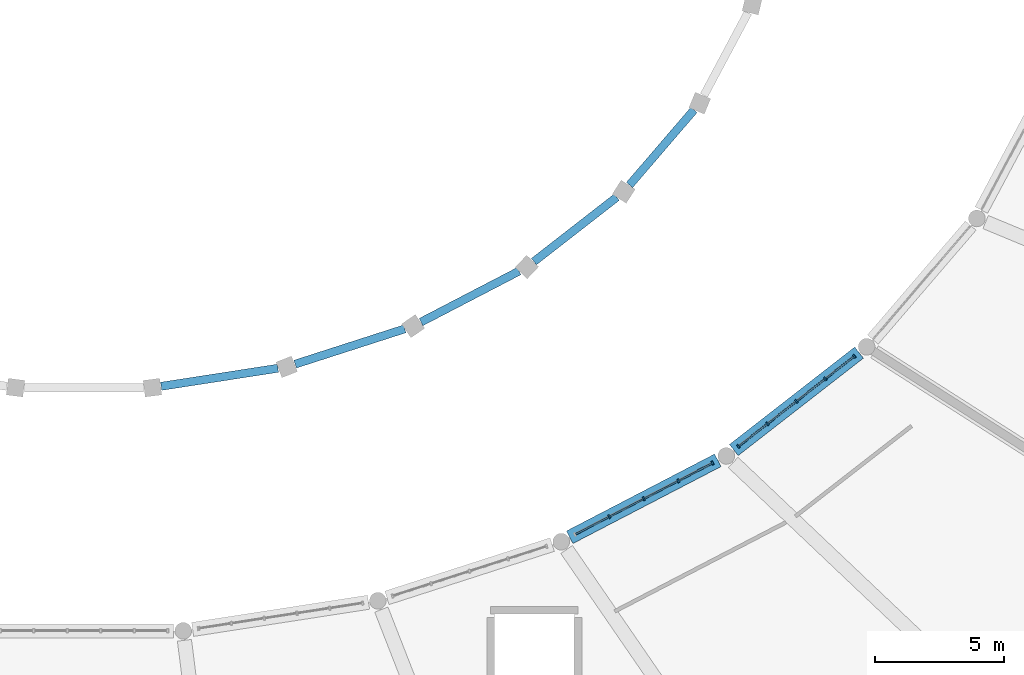
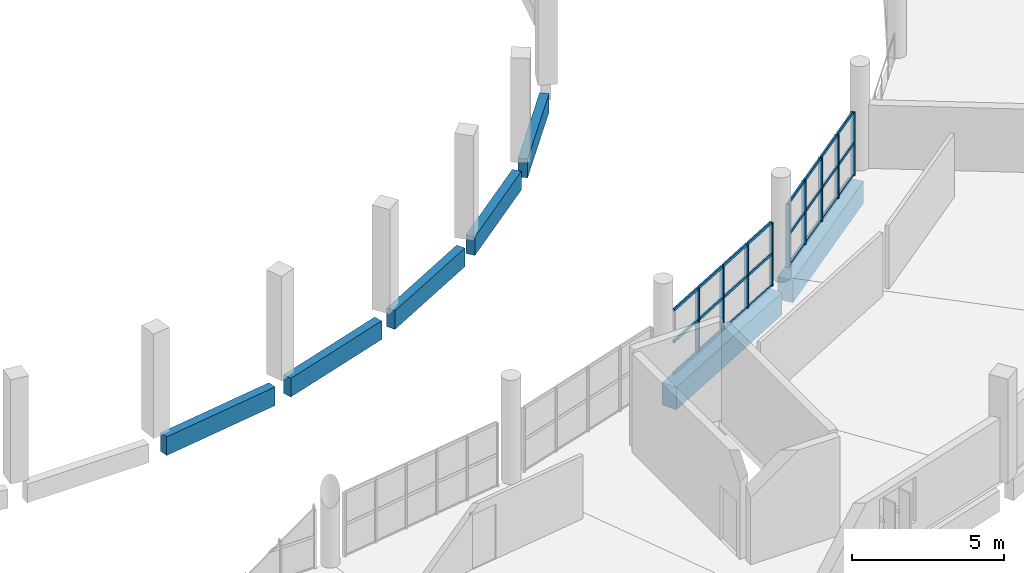
# One storey, part 17 of 142: 33 members, 7 beams, 2 elements without a shape of their own.
"""IFC4 building model written with IfcOpenShell, lengths in metres."""

from ifc_helpers import new_model, si_unit, direction, frame, origin, origin_2d, place, context, subcontext, project, spatial, rectangle, extrude, material, layer, layer_set, material_profile, profile_set, type_object, element, aggregate, save


model = new_model("IFC4")

# Units and contexts
model_context = context("Model", 3, precision=1e-05, world=origin(), true_north=direction((0.0, 1.0)))
body_context = subcontext(model_context, "Body", "Model", "MODEL_VIEW")
ifc_project = project(units=[si_unit("LENGTHUNIT", "METRE"), si_unit("AREAUNIT", "SQUARE_METRE"), si_unit("VOLUMEUNIT", "CUBIC_METRE"), si_unit("PLANEANGLEUNIT", "RADIAN"), si_unit("MASSUNIT", "GRAM", prefix="KILO")], contexts=[model_context])

# Site, building, storey
site_placement = place(None, origin())
site = spatial("IfcSite", under=ifc_project, at=site_placement, CompositionType="ELEMENT")
building_placement = place(site_placement, origin())
building = spatial("IfcBuilding", under=site, at=building_placement, Name="Corvandel Quay Wholesale Market", CompositionType="ELEMENT")
storey_placement = place(building_placement, frame((0.0, 0.0, 10.800048828125)))
storey = spatial("IfcBuildingStorey", under=building, at=storey_placement, Name="L02", CompositionType="ELEMENT", Elevation=10.800048828125)

# Curtain wall, members
ifc_material_1 = material(Name="Bronze anodised aluminium and low-E insulated glazing", Category="aluminium")
ifc_layer_1 = layer(ifc_material_1, 0.14990234375)
ifc_layer_set_1 = layer_set([ifc_layer_1], Name="Bronze anodised aluminium and low-E insulated glazing")
curtain_wall_type_1 = type_object("IfcCurtainWallType", Name="Stick Curtain Wall System CW20 H4800", PredefinedType="NOTDEFINED", material=ifc_layer_set_1)
curtain_wall_1_placement = place(storey_placement, origin())
curtain_wall_1 = element("IfcCurtainWall", 1, at=curtain_wall_1_placement, inside=storey, type_object=curtain_wall_type_1, Name="Curtain Wall CW-0080", PredefinedType="NOTDEFINED")
ifc_material_2 = material(Name="Anodised aluminium 6063-T6", Category="aluminium")
ifc_material_profile_1 = material_profile(ifc_material_2, rectangle(XDim=0.06494140625, YDim=0.14990234375, at=origin_2d()), Name="ALU-MUL-65x150")
ifc_profile_set_1 = profile_set([ifc_material_profile_1], Name="Anodised aluminium 6063-T6")
member_type_1 = type_object("IfcMemberType", Name="Curtain Wall Mullion ML02 65x150", PredefinedType="MULLION", material=ifc_profile_set_1)
member_1_placement = place(storey_placement, frame((134.41357421875, 15.9873046875, 0.0), z_axis=(0.0, 0.0, 1.0), x_axis=(0.887332978338, 0.461129250378, 0.0)))
member_1 = element("IfcMember", 2, at=member_1_placement, type_object=member_type_1, Name="Mullion CW-0080-M01", PredefinedType="MULLION", context=body_context, shape_type="SweptSolid", body=[
    extrude(rectangle(XDim=0.06494140625, YDim=0.14990234375, at=origin_2d()), origin(), (0.0, 0.0, 1.0), 2.550048828125),
])
member_2_placement = place(storey_placement, frame((135.75048828125, 16.681884765625, 0.0), z_axis=(0.0, 0.0, 1.0), x_axis=(0.887332978338, 0.461129250378, 0.0)))
member_2 = element("IfcMember", 3, at=member_2_placement, type_object=member_type_1, Name="Mullion CW-0080-M02", PredefinedType="MULLION", context=body_context, shape_type="SweptSolid", body=[
    extrude(rectangle(XDim=0.06494140625, YDim=0.14990234375, at=origin_2d()), origin(), (0.0, 0.0, 1.0), 2.550048828125),
])
member_3_placement = place(storey_placement, frame((137.08740234375, 17.376708984375, 0.0), z_axis=(0.0, 0.0, 1.0), x_axis=(0.887332978338, 0.461129250378, 0.0)))
member_3 = element("IfcMember", 4, at=member_3_placement, type_object=member_type_1, Name="Mullion CW-0080-M03", PredefinedType="MULLION", context=body_context, shape_type="SweptSolid", body=[
    extrude(rectangle(XDim=0.06494140625, YDim=0.14990234375, at=origin_2d()), origin(), (0.0, 0.0, 1.0), 2.550048828125),
])
member_4_placement = place(storey_placement, frame((138.424560546875, 18.0712890625, 0.0), z_axis=(0.0, 0.0, 1.0), x_axis=(0.887332978338, 0.461129250378, 0.0)))
member_4 = element("IfcMember", 5, at=member_4_placement, type_object=member_type_1, Name="Mullion CW-0080-M04", PredefinedType="MULLION", context=body_context, shape_type="SweptSolid", body=[
    extrude(rectangle(XDim=0.06494140625, YDim=0.14990234375, at=origin_2d()), origin(), (0.0, 0.0, 1.0), 2.550048828125),
])

ifc_layer_2 = layer(ifc_material_1, 0.162109375)
ifc_layer_set_2 = layer_set([ifc_layer_2], Name="Bronze anodised aluminium and low-E insulated glazing")
curtain_wall_type_2 = type_object("IfcCurtainWallType", Name="Stick Curtain Wall System CW21 H4890", PredefinedType="NOTDEFINED", material=ifc_layer_set_2)
curtain_wall_2_placement = place(storey_placement, origin())
curtain_wall_2 = element("IfcCurtainWall", 6, at=curtain_wall_2_placement, inside=storey, type_object=curtain_wall_type_2, Name="Curtain Wall CW-0083", PredefinedType="NOTDEFINED")
member_5_placement = place(storey_placement, frame((139.4306640625, 18.71630859375, 0.0), z_axis=(0.0, 0.0, 1.0), x_axis=(0.789405615633, 0.613871952452, 0.0)))
member_5 = element("IfcMember", 7, at=member_5_placement, type_object=member_type_1, Name="Mullion CW-0083-M00", PredefinedType="MULLION", context=body_context, shape_type="SweptSolid", body=[
    extrude(rectangle(XDim=0.06494140625, YDim=0.14990234375, at=origin_2d()), origin(), (0.0, 0.0, 1.0), 2.550048828125),
])
member_6_placement = place(storey_placement, frame((140.55712890625, 19.59228515625, 0.0), z_axis=(0.0, 0.0, 1.0), x_axis=(0.789405615633, 0.613871952452, 0.0)))
member_6 = element("IfcMember", 8, at=member_6_placement, type_object=member_type_1, Name="Mullion CW-0083-M01", PredefinedType="MULLION", context=body_context, shape_type="SweptSolid", body=[
    extrude(rectangle(XDim=0.06494140625, YDim=0.14990234375, at=origin_2d()), origin(), (0.0, 0.0, 1.0), 2.550048828125),
])
member_7_placement = place(storey_placement, frame((141.68359375, 20.468505859375, 0.0), z_axis=(0.0, 0.0, 1.0), x_axis=(0.789405615633, 0.613871952452, 0.0)))
member_7 = element("IfcMember", 9, at=member_7_placement, type_object=member_type_1, Name="Mullion CW-0083-M02", PredefinedType="MULLION", context=body_context, shape_type="SweptSolid", body=[
    extrude(rectangle(XDim=0.06494140625, YDim=0.14990234375, at=origin_2d()), origin(), (0.0, 0.0, 1.0), 2.550048828125),
])
member_8_placement = place(storey_placement, frame((142.809814453125, 21.344482421875, 0.0), z_axis=(0.0, 0.0, 1.0), x_axis=(0.789405615633, 0.613871952452, 0.0)))
member_8 = element("IfcMember", 10, at=member_8_placement, type_object=member_type_1, Name="Mullion CW-0083-M03", PredefinedType="MULLION", context=body_context, shape_type="SweptSolid", body=[
    extrude(rectangle(XDim=0.06494140625, YDim=0.14990234375, at=origin_2d()), origin(), (0.0, 0.0, 1.0), 2.550048828125),
])
member_9_placement = place(storey_placement, frame((143.936279296875, 22.220703125, 0.0), z_axis=(0.0, 0.0, 1.0), x_axis=(0.789405615633, 0.613871952452, 0.0)))
member_9 = element("IfcMember", 11, at=member_9_placement, type_object=member_type_1, Name="Mullion CW-0083-M04", PredefinedType="MULLION", context=body_context, shape_type="SweptSolid", body=[
    extrude(rectangle(XDim=0.06494140625, YDim=0.14990234375, at=origin_2d()), origin(), (0.0, 0.0, 1.0), 2.550048828125),
])

# Member
ifc_material_profile_2 = material_profile(ifc_material_2, rectangle(XDim=0.06005859375, YDim=0.110107421875, at=origin_2d()), Name="ALU-TRN-60x110")
ifc_profile_set_2 = profile_set([ifc_material_profile_2], Name="Anodised aluminium 6063-T6")
member_type_2 = type_object("IfcMemberType", Name="Curtain Wall Transom TR02 60x110", PredefinedType="USERDEFINED", material=ifc_profile_set_2)
member_10_placement = place(storey_placement, frame((133.105224609375, 15.3076171875, 0.0), z_axis=(0.887341534399, 0.46111278591, 0.0), x_axis=(-0.46111278591, 0.887341534399, 0.0)))
member_10 = element("IfcMember", 12, at=member_10_placement, type_object=member_type_2, Name="Transom CW-0080-T00-0", ObjectType="TRANSOM", PredefinedType="USERDEFINED", context=body_context, shape_type="SweptSolid", body=[
    extrude(rectangle(XDim=0.06005859375, YDim=0.110107421875, at=origin_2d()), origin(), (0.0, 0.0, 1.0), 1.441650390625),
])

member_11_placement = place(storey_placement, frame((133.105224609375, 15.3076171875, 1.27490234375), z_axis=(0.887341534399, 0.46111278591, 0.0), x_axis=(-0.46111278591, 0.887341534399, 0.0)))
member_11 = element("IfcMember", 13, at=member_11_placement, type_object=member_type_2, Name="Transom CW-0080-T00-1", ObjectType="TRANSOM", PredefinedType="USERDEFINED", context=body_context, shape_type="SweptSolid", body=[
    extrude(rectangle(XDim=0.06005859375, YDim=0.110107421875, at=origin_2d()), origin(), (0.0, 0.0, 1.0), 1.441650390625),
])

member_12_placement = place(storey_placement, frame((133.105224609375, 15.3076171875, 2.550048828125), z_axis=(0.887341534399, 0.46111278591, 0.0), x_axis=(-0.46111278591, 0.887341534399, 0.0)))
member_12 = element("IfcMember", 14, at=member_12_placement, type_object=member_type_2, Name="Transom CW-0080-T00-2", ObjectType="TRANSOM", PredefinedType="USERDEFINED", context=body_context, shape_type="SweptSolid", body=[
    extrude(rectangle(XDim=0.06005859375, YDim=0.110107421875, at=origin_2d()), origin(), (0.0, 0.0, 1.0), 1.441650390625),
])

member_13_placement = place(storey_placement, frame((134.4423828125, 16.002197265625, 0.0), z_axis=(0.887341534399, 0.46111278591, 0.0), x_axis=(-0.46111278591, 0.887341534399, 0.0)))
member_13 = element("IfcMember", 15, at=member_13_placement, type_object=member_type_2, Name="Transom CW-0080-T01-0", ObjectType="TRANSOM", PredefinedType="USERDEFINED", context=body_context, shape_type="SweptSolid", body=[
    extrude(rectangle(XDim=0.06005859375, YDim=0.110107421875, at=origin_2d()), origin(), (0.0, 0.0, 1.0), 1.441650390625),
])

member_14_placement = place(storey_placement, frame((134.4423828125, 16.002197265625, 1.27490234375), z_axis=(0.887341534399, 0.46111278591, 0.0), x_axis=(-0.46111278591, 0.887341534399, 0.0)))
member_14 = element("IfcMember", 16, at=member_14_placement, type_object=member_type_2, Name="Transom CW-0080-T01-1", ObjectType="TRANSOM", PredefinedType="USERDEFINED", context=body_context, shape_type="SweptSolid", body=[
    extrude(rectangle(XDim=0.06005859375, YDim=0.110107421875, at=origin_2d()), origin(), (0.0, 0.0, 1.0), 1.441650390625),
])

member_15_placement = place(storey_placement, frame((134.4423828125, 16.002197265625, 2.550048828125), z_axis=(0.887341534399, 0.46111278591, 0.0), x_axis=(-0.46111278591, 0.887341534399, 0.0)))
member_15 = element("IfcMember", 17, at=member_15_placement, type_object=member_type_2, Name="Transom CW-0080-T01-2", ObjectType="TRANSOM", PredefinedType="USERDEFINED", context=body_context, shape_type="SweptSolid", body=[
    extrude(rectangle(XDim=0.06005859375, YDim=0.110107421875, at=origin_2d()), origin(), (0.0, 0.0, 1.0), 1.441650390625),
])

member_16_placement = place(storey_placement, frame((135.779296875, 16.697021484375, 0.0), z_axis=(0.887341534399, 0.46111278591, 0.0), x_axis=(-0.46111278591, 0.887341534399, 0.0)))
member_16 = element("IfcMember", 18, at=member_16_placement, type_object=member_type_2, Name="Transom CW-0080-T02-0", ObjectType="TRANSOM", PredefinedType="USERDEFINED", context=body_context, shape_type="SweptSolid", body=[
    extrude(rectangle(XDim=0.06005859375, YDim=0.110107421875, at=origin_2d()), origin(), (0.0, 0.0, 1.0), 1.441650390625),
])

member_17_placement = place(storey_placement, frame((135.779296875, 16.697021484375, 1.27490234375), z_axis=(0.887341534399, 0.46111278591, 0.0), x_axis=(-0.46111278591, 0.887341534399, 0.0)))
member_17 = element("IfcMember", 19, at=member_17_placement, type_object=member_type_2, Name="Transom CW-0080-T02-1", ObjectType="TRANSOM", PredefinedType="USERDEFINED", context=body_context, shape_type="SweptSolid", body=[
    extrude(rectangle(XDim=0.06005859375, YDim=0.110107421875, at=origin_2d()), origin(), (0.0, 0.0, 1.0), 1.441650390625),
])

member_18_placement = place(storey_placement, frame((135.779296875, 16.697021484375, 2.550048828125), z_axis=(0.887341534399, 0.46111278591, 0.0), x_axis=(-0.46111278591, 0.887341534399, 0.0)))
member_18 = element("IfcMember", 20, at=member_18_placement, type_object=member_type_2, Name="Transom CW-0080-T02-2", ObjectType="TRANSOM", PredefinedType="USERDEFINED", context=body_context, shape_type="SweptSolid", body=[
    extrude(rectangle(XDim=0.06005859375, YDim=0.110107421875, at=origin_2d()), origin(), (0.0, 0.0, 1.0), 1.441650390625),
])

member_19_placement = place(storey_placement, frame((137.116455078125, 17.3916015625, 0.0), z_axis=(0.887341534399, 0.46111278591, 0.0), x_axis=(-0.46111278591, 0.887341534399, 0.0)))
member_19 = element("IfcMember", 21, at=member_19_placement, type_object=member_type_2, Name="Transom CW-0080-T03-0", ObjectType="TRANSOM", PredefinedType="USERDEFINED", context=body_context, shape_type="SweptSolid", body=[
    extrude(rectangle(XDim=0.06005859375, YDim=0.110107421875, at=origin_2d()), origin(), (0.0, 0.0, 1.0), 1.441650390625),
])

member_20_placement = place(storey_placement, frame((137.116455078125, 17.3916015625, 1.27490234375), z_axis=(0.887341534399, 0.46111278591, 0.0), x_axis=(-0.46111278591, 0.887341534399, 0.0)))
member_20 = element("IfcMember", 22, at=member_20_placement, type_object=member_type_2, Name="Transom CW-0080-T03-1", ObjectType="TRANSOM", PredefinedType="USERDEFINED", context=body_context, shape_type="SweptSolid", body=[
    extrude(rectangle(XDim=0.06005859375, YDim=0.110107421875, at=origin_2d()), origin(), (0.0, 0.0, 1.0), 1.441650390625),
])

member_21_placement = place(storey_placement, frame((137.116455078125, 17.3916015625, 2.550048828125), z_axis=(0.887341534399, 0.46111278591, 0.0), x_axis=(-0.46111278591, 0.887341534399, 0.0)))
member_21 = element("IfcMember", 23, at=member_21_placement, type_object=member_type_2, Name="Transom CW-0080-T03-2", ObjectType="TRANSOM", PredefinedType="USERDEFINED", context=body_context, shape_type="SweptSolid", body=[
    extrude(rectangle(XDim=0.06005859375, YDim=0.110107421875, at=origin_2d()), origin(), (0.0, 0.0, 1.0), 1.441650390625),
])

aggregate(curtain_wall_1, [member_1, member_2, member_3, member_4, member_10, member_11, member_12, member_13, member_14, member_15, member_16, member_17, member_18, member_19, member_20, member_21])

member_22_placement = place(storey_placement, frame((139.456298828125, 18.736328125, 0.0), z_axis=(0.789381170954, 0.613903385676, 0.0), x_axis=(-0.613903385676, 0.789381170954, 0.0)))
member_22 = element("IfcMember", 24, at=member_22_placement, type_object=member_type_2, Name="Transom CW-0083-T00-0", ObjectType="TRANSOM", PredefinedType="USERDEFINED", context=body_context, shape_type="SweptSolid", body=[
    extrude(rectangle(XDim=0.06005859375, YDim=0.110107421875, at=origin_2d()), origin(), (0.0, 0.0, 1.0), 1.362060546875),
])

member_23_placement = place(storey_placement, frame((139.456298828125, 18.736328125, 1.27490234375), z_axis=(0.789381170954, 0.613903385676, 0.0), x_axis=(-0.613903385676, 0.789381170954, 0.0)))
member_23 = element("IfcMember", 25, at=member_23_placement, type_object=member_type_2, Name="Transom CW-0083-T00-1", ObjectType="TRANSOM", PredefinedType="USERDEFINED", context=body_context, shape_type="SweptSolid", body=[
    extrude(rectangle(XDim=0.06005859375, YDim=0.110107421875, at=origin_2d()), origin(), (0.0, 0.0, 1.0), 1.362060546875),
])

member_24_placement = place(storey_placement, frame((139.456298828125, 18.736328125, 2.550048828125), z_axis=(0.789381170954, 0.613903385676, 0.0), x_axis=(-0.613903385676, 0.789381170954, 0.0)))
member_24 = element("IfcMember", 26, at=member_24_placement, type_object=member_type_2, Name="Transom CW-0083-T00-2", ObjectType="TRANSOM", PredefinedType="USERDEFINED", context=body_context, shape_type="SweptSolid", body=[
    extrude(rectangle(XDim=0.06005859375, YDim=0.110107421875, at=origin_2d()), origin(), (0.0, 0.0, 1.0), 1.362060546875),
])

member_25_placement = place(storey_placement, frame((140.582763671875, 19.6123046875, 0.0), z_axis=(0.789313604412, 0.613990255533, 0.0), x_axis=(-0.613990255533, 0.789313604412, 0.0)))
member_25 = element("IfcMember", 27, at=member_25_placement, type_object=member_type_2, Name="Transom CW-0083-T01-0", ObjectType="TRANSOM", PredefinedType="USERDEFINED", context=body_context, shape_type="SweptSolid", body=[
    extrude(rectangle(XDim=0.06005859375, YDim=0.110107421875, at=origin_2d()), origin(), (0.0, 0.0, 1.0), 1.36181640625),
])

member_26_placement = place(storey_placement, frame((140.582763671875, 19.6123046875, 1.27490234375), z_axis=(0.789313604412, 0.613990255533, 0.0), x_axis=(-0.613990255533, 0.789313604412, 0.0)))
member_26 = element("IfcMember", 28, at=member_26_placement, type_object=member_type_2, Name="Transom CW-0083-T01-1", ObjectType="TRANSOM", PredefinedType="USERDEFINED", context=body_context, shape_type="SweptSolid", body=[
    extrude(rectangle(XDim=0.06005859375, YDim=0.110107421875, at=origin_2d()), origin(), (0.0, 0.0, 1.0), 1.36181640625),
])

member_27_placement = place(storey_placement, frame((140.582763671875, 19.6123046875, 2.550048828125), z_axis=(0.789313604412, 0.613990255533, 0.0), x_axis=(-0.613990255533, 0.789313604412, 0.0)))
member_27 = element("IfcMember", 29, at=member_27_placement, type_object=member_type_2, Name="Transom CW-0083-T01-2", ObjectType="TRANSOM", PredefinedType="USERDEFINED", context=body_context, shape_type="SweptSolid", body=[
    extrude(rectangle(XDim=0.06005859375, YDim=0.110107421875, at=origin_2d()), origin(), (0.0, 0.0, 1.0), 1.36181640625),
])

member_28_placement = place(storey_placement, frame((141.709228515625, 20.488525390625, 0.0), z_axis=(0.789313604412, 0.613990255533, 0.0), x_axis=(-0.613990255533, 0.789313604412, 0.0)))
member_28 = element("IfcMember", 30, at=member_28_placement, type_object=member_type_2, Name="Transom CW-0083-T02-0", ObjectType="TRANSOM", PredefinedType="USERDEFINED", context=body_context, shape_type="SweptSolid", body=[
    extrude(rectangle(XDim=0.06005859375, YDim=0.110107421875, at=origin_2d()), origin(), (0.0, 0.0, 1.0), 1.36181640625),
])

member_29_placement = place(storey_placement, frame((141.709228515625, 20.488525390625, 1.27490234375), z_axis=(0.789313604412, 0.613990255533, 0.0), x_axis=(-0.613990255533, 0.789313604412, 0.0)))
member_29 = element("IfcMember", 31, at=member_29_placement, type_object=member_type_2, Name="Transom CW-0083-T02-1", ObjectType="TRANSOM", PredefinedType="USERDEFINED", context=body_context, shape_type="SweptSolid", body=[
    extrude(rectangle(XDim=0.06005859375, YDim=0.110107421875, at=origin_2d()), origin(), (0.0, 0.0, 1.0), 1.36181640625),
])

member_30_placement = place(storey_placement, frame((141.709228515625, 20.488525390625, 2.550048828125), z_axis=(0.789313604412, 0.613990255533, 0.0), x_axis=(-0.613990255533, 0.789313604412, 0.0)))
member_30 = element("IfcMember", 32, at=member_30_placement, type_object=member_type_2, Name="Transom CW-0083-T02-2", ObjectType="TRANSOM", PredefinedType="USERDEFINED", context=body_context, shape_type="SweptSolid", body=[
    extrude(rectangle(XDim=0.06005859375, YDim=0.110107421875, at=origin_2d()), origin(), (0.0, 0.0, 1.0), 1.36181640625),
])

member_31_placement = place(storey_placement, frame((142.835693359375, 21.364501953125, 0.0), z_axis=(0.789313604412, 0.613990255533, 0.0), x_axis=(-0.613990255533, 0.789313604412, 0.0)))
member_31 = element("IfcMember", 33, at=member_31_placement, type_object=member_type_2, Name="Transom CW-0083-T03-0", ObjectType="TRANSOM", PredefinedType="USERDEFINED", context=body_context, shape_type="SweptSolid", body=[
    extrude(rectangle(XDim=0.06005859375, YDim=0.110107421875, at=origin_2d()), origin(), (0.0, 0.0, 1.0), 1.36181640625),
])

member_32_placement = place(storey_placement, frame((142.835693359375, 21.364501953125, 1.27490234375), z_axis=(0.789313604412, 0.613990255533, 0.0), x_axis=(-0.613990255533, 0.789313604412, 0.0)))
member_32 = element("IfcMember", 34, at=member_32_placement, type_object=member_type_2, Name="Transom CW-0083-T03-1", ObjectType="TRANSOM", PredefinedType="USERDEFINED", context=body_context, shape_type="SweptSolid", body=[
    extrude(rectangle(XDim=0.06005859375, YDim=0.110107421875, at=origin_2d()), origin(), (0.0, 0.0, 1.0), 1.36181640625),
])

member_33_placement = place(storey_placement, frame((142.835693359375, 21.364501953125, 2.550048828125), z_axis=(0.789313604412, 0.613990255533, 0.0), x_axis=(-0.613990255533, 0.789313604412, 0.0)))
member_33 = element("IfcMember", 35, at=member_33_placement, type_object=member_type_2, Name="Transom CW-0083-T03-2", ObjectType="TRANSOM", PredefinedType="USERDEFINED", context=body_context, shape_type="SweptSolid", body=[
    extrude(rectangle(XDim=0.06005859375, YDim=0.110107421875, at=origin_2d()), origin(), (0.0, 0.0, 1.0), 1.36181640625),
])

aggregate(curtain_wall_2, [member_5, member_6, member_7, member_8, member_9, member_22, member_23, member_24, member_25, member_26, member_27, member_28, member_29, member_30, member_31, member_32, member_33])

# Beams
ifc_material_3 = material(Name="Precast concrete C45/55", Category="concrete")
ifc_material_profile_3 = material_profile(ifc_material_3, rectangle(XDim=0.320068359375, YDim=0.75, at=origin_2d()), Name="PC-SPN-320x750")
ifc_profile_set_3 = profile_set([ifc_material_profile_3], Name="Precast concrete C45/55")
beam_type_1 = type_object("IfcBeamType", Name="Pavilion Precast Spandrel SP02 320x750", PredefinedType="SPANDREL", material=ifc_profile_set_3)
beam_1_placement = place(storey_placement, frame((117.0, 21.052734375, -0.695068359375), z_axis=(0.988242185176, 0.152896642991, 0.0), x_axis=(-0.152896642991, 0.988242185176, 0.0)))
element("IfcBeam", 36, at=beam_1_placement, inside=storey, type_object=beam_type_1, Name="Beam BM-0306", PredefinedType="SPANDREL", context=body_context, shape_type="SweptSolid", body=[
    extrude(rectangle(XDim=0.320068359375, YDim=0.75, at=origin_2d()), origin(), (0.0, 0.0, 1.0), 4.589111328125),
])
beam_2_placement = place(storey_placement, frame((122.204345703125, 21.912841796875, -0.695068359375), z_axis=(0.951818159788, 0.306662992057, 0.0), x_axis=(-0.306662992057, 0.951818159788, 0.0)))
element("IfcBeam", 37, at=beam_2_placement, inside=storey, type_object=beam_type_1, Name="Beam BM-0317", PredefinedType="SPANDREL", context=body_context, shape_type="SweptSolid", body=[
    extrude(rectangle(XDim=0.320068359375, YDim=0.75, at=origin_2d()), origin(), (0.0, 0.0, 1.0), 4.471923828125),
])
beam_3_placement = place(storey_placement, frame((127.09521484375, 23.549072265625, -0.695068359375), z_axis=(0.887335015859, 0.461125329634, 0.0), x_axis=(-0.461125329634, 0.887335015859, 0.0)))
element("IfcBeam", 38, at=beam_3_placement, inside=storey, type_object=beam_type_1, Name="Beam BM-0329", PredefinedType="SPANDREL", context=body_context, shape_type="SweptSolid", body=[
    extrude(rectangle(XDim=0.320068359375, YDim=0.75, at=origin_2d()), origin(), (0.0, 0.0, 1.0), 4.293212890625),
])
beam_4_placement = place(storey_placement, frame((131.4833984375, 25.89990234375, -0.695068359375), z_axis=(0.789394159963, 0.61388668353, 0.0), x_axis=(-0.61388668353, 0.789394159963, 0.0)))
element("IfcBeam", 39, at=beam_4_placement, inside=storey, type_object=beam_type_1, Name="Beam BM-0341", PredefinedType="SPANDREL", context=body_context, shape_type="SweptSolid", body=[
    extrude(rectangle(XDim=0.320068359375, YDim=0.75, at=origin_2d()), origin(), (0.0, 0.0, 1.0), 4.074462890625),
])
beam_5_placement = place(storey_placement, frame((135.19677734375, 28.874755859375, -0.695068359375), z_axis=(0.651617210096, 0.758547962562, 0.0), x_axis=(-0.758547962562, 0.651617210096, 0.0)))
element("IfcBeam", 40, at=beam_5_placement, inside=storey, type_object=beam_type_1, Name="Beam BM-0353", PredefinedType="SPANDREL", context=body_context, shape_type="SweptSolid", body=[
    extrude(rectangle(XDim=0.320068359375, YDim=0.75, at=origin_2d()), origin(), (0.0, 0.0, 1.0), 3.844970703125),
])
ifc_material_profile_4 = material_profile(ifc_material_3, rectangle(XDim=0.550048828125, YDim=0.89990234375, at=origin_2d()), Name="PC-GIR-550x900")
ifc_profile_set_4 = profile_set([ifc_material_profile_4], Name="Precast concrete C45/55")
beam_type_2 = type_object("IfcBeamType", Name="Produce Hall Radial Girder G03 550x900", PredefinedType="USERDEFINED", material=ifc_profile_set_4)
beam_6_placement = place(storey_placement, frame((132.872314453125, 15.1865234375, -0.77001953125), z_axis=(0.887364026479, 0.461069500738, 0.0), x_axis=(-0.461069500738, 0.887364026479, 0.0)))
element("IfcBeam", 41, at=beam_6_placement, inside=storey, type_object=beam_type_2, Name="Beam BM-0328", ObjectType="GIRDER", PredefinedType="USERDEFINED", context=body_context, shape_type="SweptSolid", body=[
    extrude(rectangle(XDim=0.550048828125, YDim=0.89990234375, at=origin_2d()), origin(), (0.0, 0.0, 1.0), 6.487060546875),
])
beam_7_placement = place(storey_placement, frame((139.2490234375, 18.5751953125, -0.77001953125), z_axis=(0.789375661281, 0.613910470164, 0.0), x_axis=(-0.613910470164, 0.789375661281, 0.0)))
element("IfcBeam", 42, at=beam_7_placement, inside=storey, type_object=beam_type_2, Name="Beam BM-0340", ObjectType="GIRDER", PredefinedType="USERDEFINED", context=body_context, shape_type="SweptSolid", body=[
    extrude(rectangle(XDim=0.550048828125, YDim=0.89990234375, at=origin_2d()), origin(), (0.0, 0.0, 1.0), 6.16796875),
])

save(model, "model.ifc")
